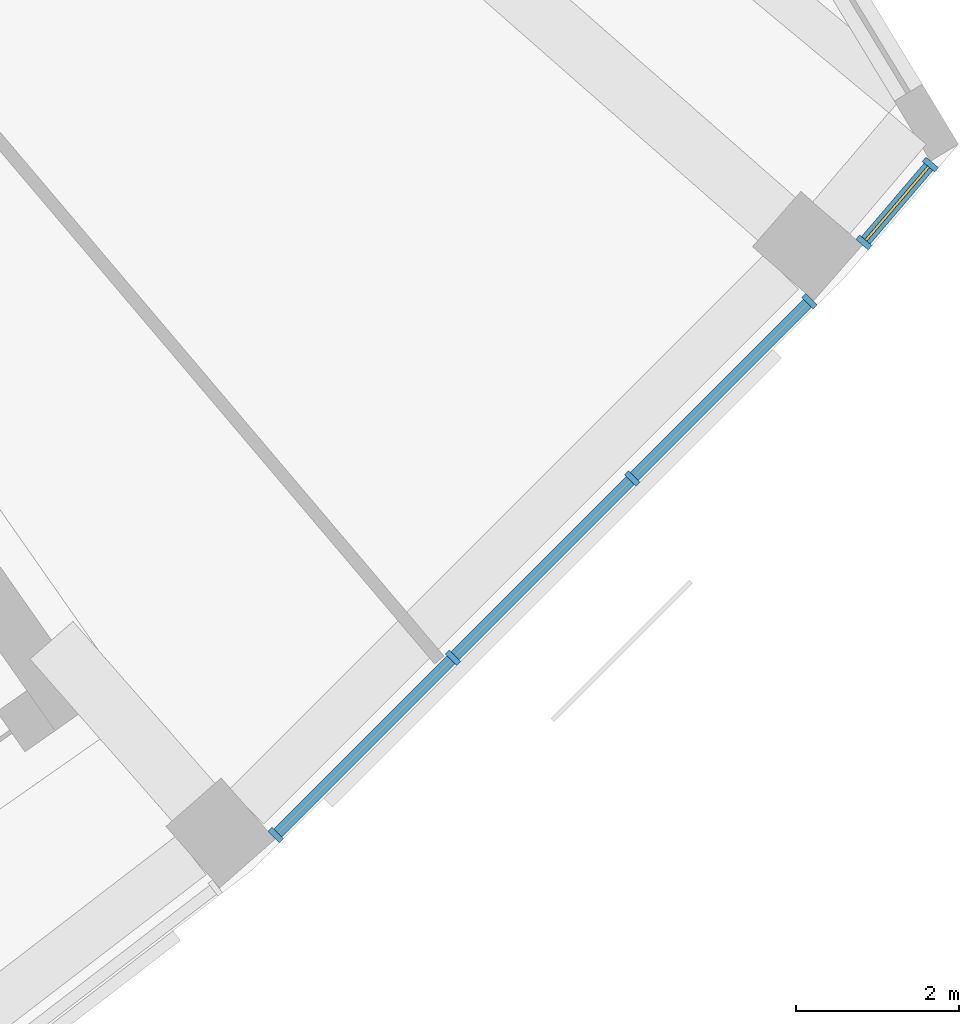
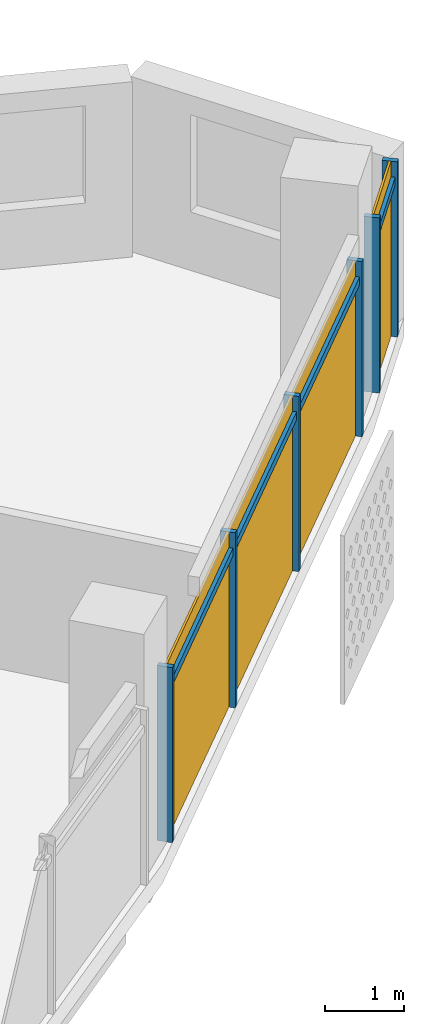
# One storey, part 22 of 28: 10 members, 2 curtain walls.
"""IFC4 building model written with IfcOpenShell, lengths in metres."""

from ifc_helpers import new_model, si_unit, direction, frame, origin, origin_2d, place, context, subcontext, project, spatial, rectangle, extrude, material, material_profile, profile_set, type_object, element, aggregate, save


model = new_model("IFC4")

# Units and contexts
model_context = context("Model", 3, precision=1e-05, world=origin(), true_north=direction((0.0, 1.0)))
body_context = subcontext(model_context, "Body", "Model", "MODEL_VIEW")
ifc_project = project(units=[si_unit("LENGTHUNIT", "METRE"), si_unit("AREAUNIT", "SQUARE_METRE"), si_unit("VOLUMEUNIT", "CUBIC_METRE"), si_unit("PLANEANGLEUNIT", "RADIAN"), si_unit("MASSUNIT", "GRAM", prefix="KILO")], contexts=[model_context])

# Member
ifc_material = material(Name="Aluminium 6063-T6 anodised", Category="aluminium")
ifc_material_profile_1 = material_profile(ifc_material, rectangle(XDim=0.199951171875, YDim=0.070068359375, at=origin_2d()))
ifc_profile_set_1 = profile_set([ifc_material_profile_1], Name="Aluminium 6063-T6 anodised")
member_type_1 = type_object("IfcMemberType", Name="Mullion 70 x 200 aluminium", PredefinedType="MULLION", material=ifc_profile_set_1)
site_placement = place(None, origin())
building_placement = place(site_placement, origin())
storey_placement = place(building_placement, frame((0.0, 0.0, 269.5)))
member_1_placement = place(storey_placement, frame((51.942626953125, -58.482421875, 0.0), z_axis=(0.0, 0.0, 1.0), x_axis=(-0.707106781187, 0.707106781187, 0.0)))
member_1 = element("IfcMember", 1, at=member_1_placement, type_object=member_type_1, Name="e-cw1-L65-out13/M00", PredefinedType="MULLION", context=body_context, shape_type="SweptSolid", body=[
    extrude(rectangle(XDim=0.199951171875, YDim=0.070068359375, at=origin_2d()), origin(), (0.0, 0.0, 1.0), 2.699951171875),
])

member_2_placement = place(storey_placement, frame((54.1142578125, -56.310791015625, 0.0), z_axis=(0.0, 0.0, 1.0), x_axis=(-0.707106781187, 0.707106781187, 0.0)))
member_2 = element("IfcMember", 2, at=member_2_placement, type_object=member_type_1, Name="e-cw1-L65-out13/M01", PredefinedType="MULLION", context=body_context, shape_type="SweptSolid", body=[
    extrude(rectangle(XDim=0.199951171875, YDim=0.070068359375, at=origin_2d()), origin(), (0.0, 0.0, 1.0), 2.699951171875),
])

member_3_placement = place(storey_placement, frame((56.310791015625, -54.1142578125, 0.0), z_axis=(0.0, 0.0, 1.0), x_axis=(-0.707106781187, 0.707106781187, 0.0)))
member_3 = element("IfcMember", 3, at=member_3_placement, type_object=member_type_1, Name="e-cw1-L65-out13/M02", PredefinedType="MULLION", context=body_context, shape_type="SweptSolid", body=[
    extrude(rectangle(XDim=0.199951171875, YDim=0.070068359375, at=origin_2d()), origin(), (0.0, 0.0, 1.0), 2.699951171875),
])

member_4_placement = place(storey_placement, frame((58.482421875, -51.942626953125, 0.0), z_axis=(0.0, 0.0, 1.0), x_axis=(-0.707106781187, 0.707106781187, 0.0)))
member_4 = element("IfcMember", 4, at=member_4_placement, type_object=member_type_1, Name="e-cw1-L65-out13/M03", PredefinedType="MULLION", context=body_context, shape_type="SweptSolid", body=[
    extrude(rectangle(XDim=0.199951171875, YDim=0.070068359375, at=origin_2d()), origin(), (0.0, 0.0, 1.0), 2.699951171875),
])

member_5_placement = place(storey_placement, frame((59.1484375, -51.221923828125, 0.0), z_axis=(0.0, 0.0, 1.0), x_axis=(-0.760854442079, 0.648922582416, 0.0)))
member_5 = element("IfcMember", 5, at=member_5_placement, type_object=member_type_1, Name="e-cw1-L65-out14/M00", PredefinedType="MULLION", context=body_context, shape_type="SweptSolid", body=[
    extrude(rectangle(XDim=0.199951171875, YDim=0.070068359375, at=origin_2d()), origin(), (0.0, 0.0, 1.0), 2.699951171875),
])

member_6_placement = place(storey_placement, frame((59.962646484375, -50.267578125, 0.0), z_axis=(0.0, 0.0, 1.0), x_axis=(-0.760854442079, 0.648922582416, 0.0)))
member_6 = element("IfcMember", 6, at=member_6_placement, type_object=member_type_1, Name="e-cw1-L65-out14/M01", PredefinedType="MULLION", context=body_context, shape_type="SweptSolid", body=[
    extrude(rectangle(XDim=0.199951171875, YDim=0.070068359375, at=origin_2d()), origin(), (0.0, 0.0, 1.0), 2.699951171875),
])

ifc_material_profile_2 = material_profile(ifc_material, rectangle(XDim=0.139892578125, YDim=0.1201171875, at=origin_2d()))
ifc_profile_set_2 = profile_set([ifc_material_profile_2], Name="Aluminium 6063-T6 anodised")
member_type_2 = type_object("IfcMemberType", Name="Transom 120 x 140 aluminium", PredefinedType="USERDEFINED", material=ifc_profile_set_2)
member_7_placement = place(storey_placement, frame((51.96728515625, -58.45751953125, 2.39990234375), z_axis=(0.707147453401, 0.707066106633, 0.0), x_axis=(-0.707066106633, 0.707147453401, 0.0)))
member_7 = element("IfcMember", 7, at=member_7_placement, type_object=member_type_2, Name="e-cw1-L65-out13/T00", ObjectType="TRANSOM", PredefinedType="USERDEFINED", context=body_context, shape_type="SweptSolid", body=[
    extrude(rectangle(XDim=0.139892578125, YDim=0.1201171875, at=origin_2d()), origin(), (0.0, 0.0, 1.0), 3.001220703125),
])

member_8_placement = place(storey_placement, frame((54.138916015625, -56.285888671875, 2.39990234375), z_axis=(0.707106781187, 0.707106781187, 0.0), x_axis=(-0.707106781187, 0.707106781187, 0.0)))
member_8 = element("IfcMember", 8, at=member_8_placement, type_object=member_type_2, Name="e-cw1-L65-out13/T01", ObjectType="TRANSOM", PredefinedType="USERDEFINED", context=body_context, shape_type="SweptSolid", body=[
    extrude(rectangle(XDim=0.139892578125, YDim=0.1201171875, at=origin_2d()), origin(), (0.0, 0.0, 1.0), 3.036376953125),
])

member_9_placement = place(storey_placement, frame((56.33544921875, -54.089599609375, 2.39990234375), z_axis=(0.707066106633, 0.707147453401, 0.0), x_axis=(-0.707147453401, 0.707066106633, 0.0)))
member_9 = element("IfcMember", 9, at=member_9_placement, type_object=member_type_2, Name="e-cw1-L65-out13/T02", ObjectType="TRANSOM", PredefinedType="USERDEFINED", context=body_context, shape_type="SweptSolid", body=[
    extrude(rectangle(XDim=0.139892578125, YDim=0.1201171875, at=origin_2d()), origin(), (0.0, 0.0, 1.0), 3.001220703125),
])

member_10_placement = place(storey_placement, frame((59.171142578125, -51.1953125, 2.39990234375), z_axis=(0.649041347801, 0.760753132655, 0.0), x_axis=(-0.760753132655, 0.649041347801, 0.0)))
member_10 = element("IfcMember", 10, at=member_10_placement, type_object=member_type_2, Name="e-cw1-L65-out14/T00", ObjectType="TRANSOM", PredefinedType="USERDEFINED", context=body_context, shape_type="SweptSolid", body=[
    extrude(rectangle(XDim=0.139892578125, YDim=0.1201171875, at=origin_2d()), origin(), (0.0, 0.0, 1.0), 1.1845703125),
])

# Site, building, storey
site = spatial("IfcSite", under=ifc_project, at=site_placement, CompositionType="ELEMENT")
building = spatial("IfcBuilding", under=site, at=building_placement, Name="Qamariyya Broadcast Tower", CompositionType="ELEMENT")
storey = spatial("IfcBuildingStorey", under=building, at=storey_placement, Name="L65", CompositionType="ELEMENT", Elevation=269.5)

# Curtain wall
curtain_wall_type = type_object("IfcCurtainWallType", Name="Unitised curtain wall, anodised aluminium", PredefinedType="NOTDEFINED", material=ifc_material)
curtain_wall_1_placement = place(storey_placement, origin())
curtain_wall_1 = element("IfcCurtainWall", 11, at=curtain_wall_1_placement, inside=storey, type_object=curtain_wall_type, Name="e-cw1-L65-out13", PredefinedType="NOTDEFINED", context=body_context, shape_type="SweptSolid", body=[
    extrude(rectangle(XDim=3.001220703125, YDim=0.031982421875, at=origin_2d()), frame((53.0283203125, -57.396484375, 0.0), x_axis=(0.707106781187, 0.707106781187, 0.0)), (0.0, 0.0, 1.0), 2.340087890625),
    extrude(rectangle(XDim=3.001220703125, YDim=0.031982421875, at=origin_2d()), frame((53.0283203125, -57.396484375, 2.4599609375), x_axis=(0.707106781187, 0.707106781187, 0.0)), (0.0, 0.0, 1.0), 0.239990234375),
    extrude(rectangle(XDim=3.0361328125, YDim=0.031982421875, at=origin_2d()), frame((55.21240234375, -55.21240234375, 0.0), x_axis=(0.707106781187, 0.707106781187, 0.0)), (0.0, 0.0, 1.0), 2.340087890625),
    extrude(rectangle(XDim=3.0361328125, YDim=0.031982421875, at=origin_2d()), frame((55.21240234375, -55.21240234375, 2.4599609375), x_axis=(0.707106781187, 0.707106781187, 0.0)), (0.0, 0.0, 1.0), 0.239990234375),
    extrude(rectangle(XDim=3.001220703125, YDim=0.031982421875, at=origin_2d()), frame((57.396484375, -53.0283203125, 0.0), x_axis=(0.707106781187, 0.707106781187, 0.0)), (0.0, 0.0, 1.0), 2.340087890625),
    extrude(rectangle(XDim=3.001220703125, YDim=0.031982421875, at=origin_2d()), frame((57.396484375, -53.0283203125, 2.4599609375), x_axis=(0.707106781187, 0.707106781187, 0.0)), (0.0, 0.0, 1.0), 0.239990234375),
])

aggregate(curtain_wall_1, [member_1, member_2, member_3, member_4, member_7, member_8, member_9])

curtain_wall_2_placement = place(storey_placement, origin())
curtain_wall_2 = element("IfcCurtainWall", 12, at=curtain_wall_2_placement, inside=storey, type_object=curtain_wall_type, Name="e-cw1-L65-out14", PredefinedType="NOTDEFINED", context=body_context, shape_type="SweptSolid", body=[
    extrude(rectangle(XDim=1.1845703125, YDim=0.031982421875, at=origin_2d()), frame((59.5556640625, -50.744873046875, 0.0), x_axis=(0.648952881989, 0.760828598935, 0.0)), (0.0, 0.0, 1.0), 2.340087890625),
    extrude(rectangle(XDim=1.1845703125, YDim=0.031982421875, at=origin_2d()), frame((59.5556640625, -50.744873046875, 2.4599609375), x_axis=(0.648952881989, 0.760828598935, 0.0)), (0.0, 0.0, 1.0), 0.239990234375),
])

aggregate(curtain_wall_2, [member_5, member_6, member_10])

save(model, "model.ifc")
